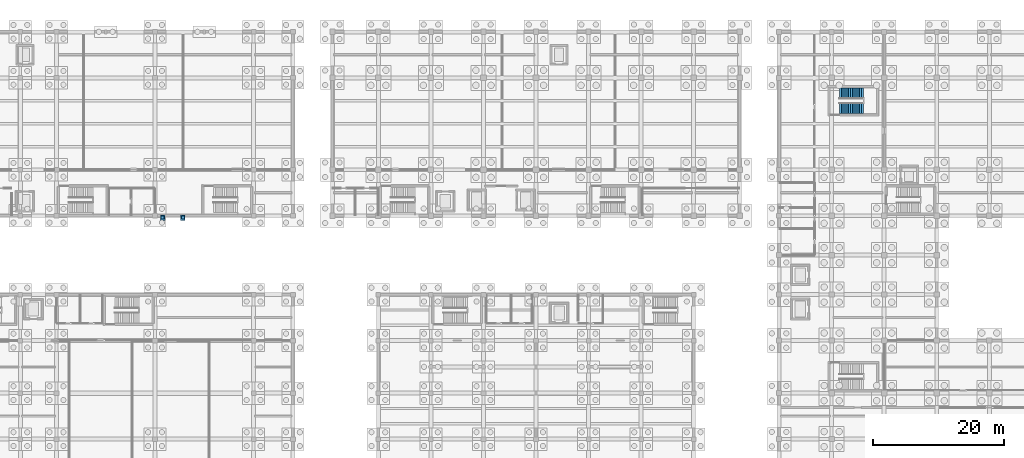
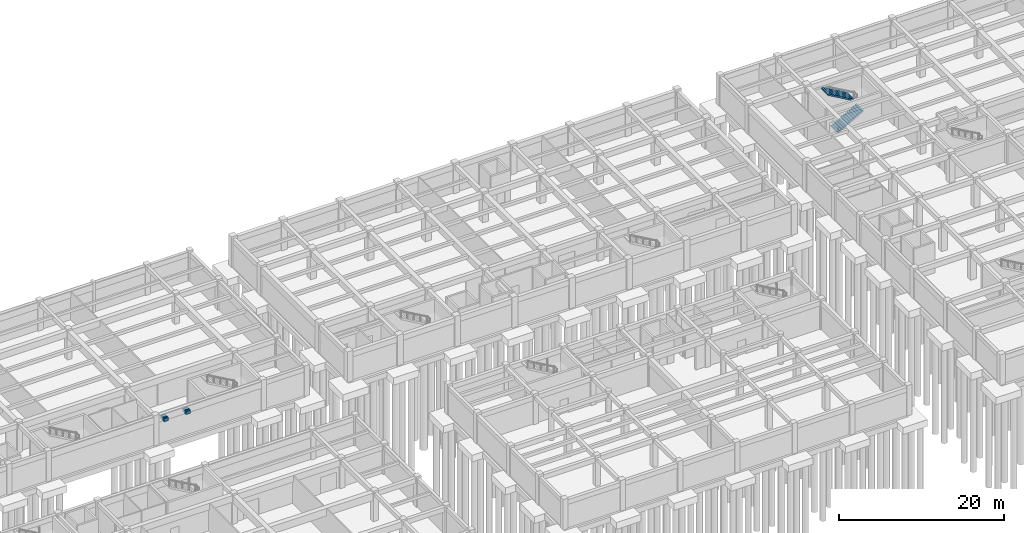
# One storey, part 23 of 28: 4 discrete accessories, 2 stair flights, 1 element without a shape of its own.
"""IFC4 building model written with IfcOpenShell, lengths in metres."""

from ifc_helpers import new_model, si_unit, direction, frame, origin, origin_2d, place, context, subcontext, project, spatial, polyline, rectangle, outline, extrude, material, type_object, element, aggregate, save


model = new_model("IFC4")

# Units and contexts
model_context = context("Model", 3, precision=1e-05, world=origin(), true_north=direction((0.0, 1.0)))
body_context = subcontext(model_context, "Body", "Model", "MODEL_VIEW")
ifc_project = project(units=[si_unit("LENGTHUNIT", "METRE"), si_unit("AREAUNIT", "SQUARE_METRE"), si_unit("VOLUMEUNIT", "CUBIC_METRE"), si_unit("PLANEANGLEUNIT", "RADIAN"), si_unit("MASSUNIT", "GRAM", prefix="KILO")], contexts=[model_context])

# Site, building, storey
site_placement = place(None, origin())
site = spatial("IfcSite", under=ifc_project, at=site_placement, CompositionType="ELEMENT")
building_placement = place(site_placement, origin())
building = spatial("IfcBuilding", under=site, at=building_placement, Name="Naurynzar Civic Courthouse", CompositionType="ELEMENT")
storey_placement = place(building_placement, frame((0.0, 0.0, -4.5)))
storey = spatial("IfcBuildingStorey", under=building, at=storey_placement, Name="B01", CompositionType="ELEMENT", Elevation=-4.5)

# Stair, stair flights
ifc_material_1 = material(Name="Concrete C35/45", Category="concrete")
stair_type = type_object("IfcStairType", Name="STAIR-CORE-1600", PredefinedType="TWO_STRAIGHT_RUN_STAIR", material=ifc_material_1)
stair_placement = place(storey_placement, origin())
stair = element("IfcStair", 1, at=stair_placement, inside=storey, type_object=stair_type, Name="Enclosed escape stair ST-V5B B01", PredefinedType="TWO_STRAIGHT_RUN_STAIR")
ifc_material_2 = material(Name="Concrete C35/45", Category="concrete")
stair_flight_type = type_object("IfcStairFlightType", Name="FLIGHT-RC-1600", PredefinedType="STRAIGHT", material=ifc_material_2)
stair_flight_1_placement = place(storey_placement, frame((139.199951171875, 60.3798828125, 0.0), z_axis=(0.0, 0.0, 1.0), x_axis=(1.0, 0.0, 0.0)))
stair_flight_1 = element("IfcStairFlight", 2, at=stair_flight_1_placement, type_object=stair_flight_type, Name="ST-V5B-B01 flight 1", NumberOfRisers=14, NumberOfTreads=13, PredefinedType="STRAIGHT", RiserHeight=0.160714286, TreadLength=0.28, context=body_context, shape_type="SweptSolid", body=[
    extrude(outline(polyline([(0.0, 0.0), (0.0, 0.16064453125), (0.280029296875, 0.16064453125), (0.280029296875, 0.321533203125), (0.56005859375, 0.321533203125), (0.56005859375, 0.482177734375), (0.840087890625, 0.482177734375), (0.840087890625, 0.642822265625), (1.1201171875, 0.642822265625), (1.1201171875, 0.803466796875), (1.39990234375, 0.803466796875), (1.39990234375, 0.96435546875), (1.679931640625, 0.96435546875), (1.679931640625, 1.125), (1.9599609375, 1.125), (1.9599609375, 1.28564453125), (2.239990234375, 1.28564453125), (2.239990234375, 1.446533203125), (2.52001953125, 1.446533203125), (2.52001953125, 1.607177734375), (2.800048828125, 1.607177734375), (2.800048828125, 1.767822265625), (3.080078125, 1.767822265625), (3.080078125, 1.928466796875), (3.360107421875, 1.928466796875), (3.360107421875, 2.08935546875), (3.639892578125, 2.08935546875), (3.639892578125, 2.25), (3.639892578125, 1.8818359375), (0.361328125, 0.0), (0.0, 0.0)])), frame((0.0, 0.800048828125, 0.0), z_axis=(0.0, -1.0, 0.0), x_axis=(1.0, 0.0, 0.0)), (0.0, 0.0, 1.0), 1.60009765625),
])
stair_flight_2_placement = place(storey_placement, frame((142.840087890625, 62.6201171875, 2.25), z_axis=(0.0, 0.0, 1.0), x_axis=(-1.0, 0.0, 0.0)))
stair_flight_2 = element("IfcStairFlight", 3, at=stair_flight_2_placement, type_object=stair_flight_type, Name="ST-V5B-B01 flight 2", NumberOfRisers=14, NumberOfTreads=13, PredefinedType="STRAIGHT", RiserHeight=0.160714286, TreadLength=0.28, context=body_context, shape_type="SweptSolid", body=[
    extrude(outline(polyline([(0.0, 0.0), (0.0, 0.16064453125), (0.280029296875, 0.16064453125), (0.280029296875, 0.321533203125), (0.56005859375, 0.321533203125), (0.56005859375, 0.482177734375), (0.840087890625, 0.482177734375), (0.840087890625, 0.642822265625), (1.1201171875, 0.642822265625), (1.1201171875, 0.803466796875), (1.39990234375, 0.803466796875), (1.39990234375, 0.96435546875), (1.679931640625, 0.96435546875), (1.679931640625, 1.125), (1.9599609375, 1.125), (1.9599609375, 1.28564453125), (2.239990234375, 1.28564453125), (2.239990234375, 1.446533203125), (2.52001953125, 1.446533203125), (2.52001953125, 1.607177734375), (2.800048828125, 1.607177734375), (2.800048828125, 1.767822265625), (3.080078125, 1.767822265625), (3.080078125, 1.928466796875), (3.360107421875, 1.928466796875), (3.360107421875, 2.08935546875), (3.639892578125, 2.08935546875), (3.639892578125, 2.25), (3.639892578125, 1.8818359375), (0.361328125, 0.0), (0.0, 0.0)])), frame((0.0, 0.800048828125, 0.0), z_axis=(0.0, -1.0, 0.0), x_axis=(1.0, 0.0, 0.0)), (0.0, 0.0, 1.0), 1.60009765625),
])
aggregate(stair, [stair_flight_1, stair_flight_2])

# Discrete accessories
ifc_material_3 = material(Name="Steel S355", Category="steel")
discrete_accessory_type_1 = type_object("IfcDiscreteAccessoryType", Name="BRG-PTFE-450", PredefinedType="SHOE", material=ifc_material_3)
for number, where, z_axis, x_axis, name in (
    (4, (36.169921875, 43.75, 3.849853515625), (0.0, 0.0, 1.0), (1.0, 0.0, 0.0), "BR-W1 unguided PTFE sliding bearing L01.1"),
    (5, (39.22998046875, 43.75, 3.849853515625), (0.0, 0.0, 1.0), (1.0, 0.0, 0.0), "BR-W1 unguided PTFE sliding bearing L01.2"),
):
    element("IfcDiscreteAccessory", number, at=place(storey_placement, frame(where, z_axis=z_axis, x_axis=x_axis)), inside=storey, type_object=discrete_accessory_type_1, Name=name, PredefinedType="SHOE", context=body_context, shape_type="SweptSolid", body=[
        extrude(rectangle(XDim=0.449951171875, YDim=0.449951171875, at=origin_2d()), origin(), (0.0, 0.0, 1.0), 0.080078125),
    ])
ifc_material_4 = material(Name="Concrete C40/50", Category="concrete")
discrete_accessory_type_2 = type_object("IfcDiscreteAccessoryType", Name="CORB-RC-850", PredefinedType="BRACKET", material=ifc_material_4)
for number, where, z_axis, x_axis, name in (
    (6, (36.169921875, 43.72509765625, 3.39990234375), (0.0, 0.0, 1.0), (1.0, 0.0, 0.0), "BR-W1 850mm RC seismic bridge corbel seat L01.1"),
    (7, (39.22998046875, 43.72509765625, 3.39990234375), (0.0, 0.0, 1.0), (1.0, 0.0, 0.0), "BR-W1 850mm RC seismic bridge corbel seat L01.2"),
):
    element("IfcDiscreteAccessory", number, at=place(storey_placement, frame(where, z_axis=z_axis, x_axis=x_axis)), inside=storey, type_object=discrete_accessory_type_2, Name=name, PredefinedType="BRACKET", context=body_context, shape_type="SweptSolid", body=[
        extrude(rectangle(XDim=0.64990234375, YDim=0.85009765625, at=origin_2d()), origin(), (0.0, 0.0, 1.0), 0.449951171875),
    ])

save(model, "model.ifc")
